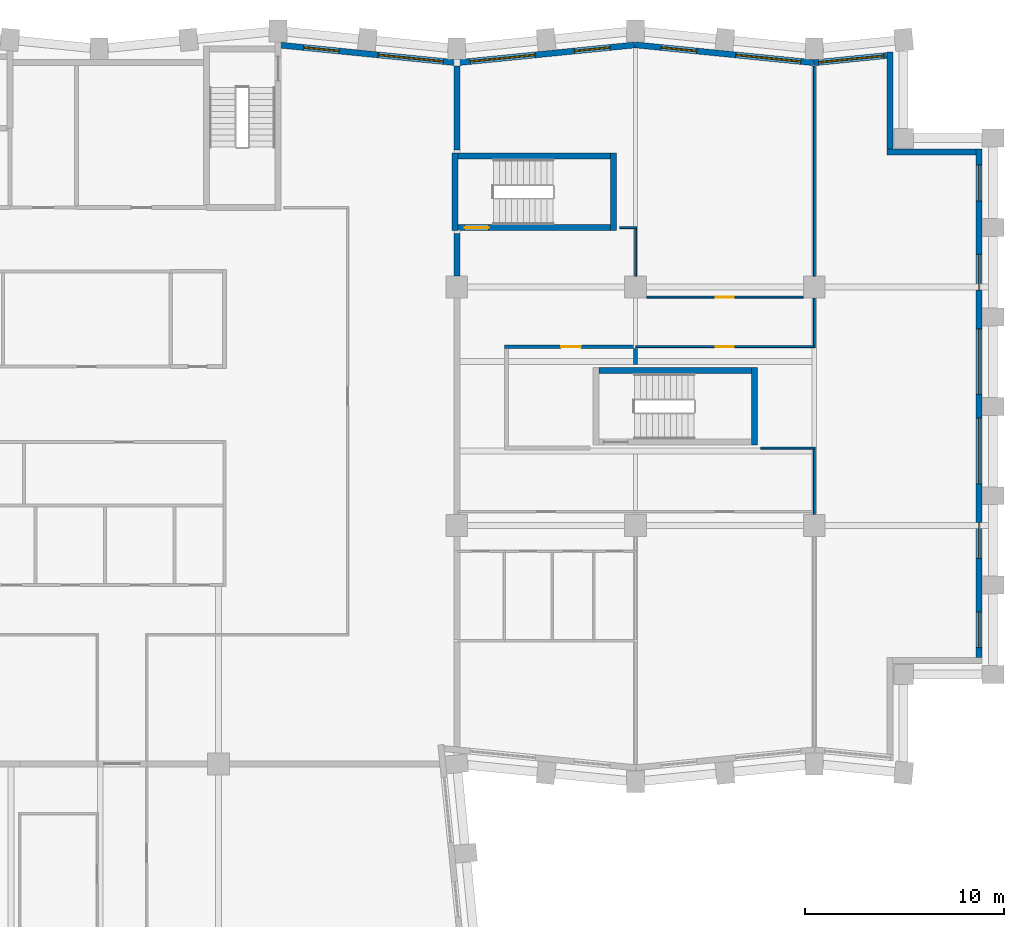
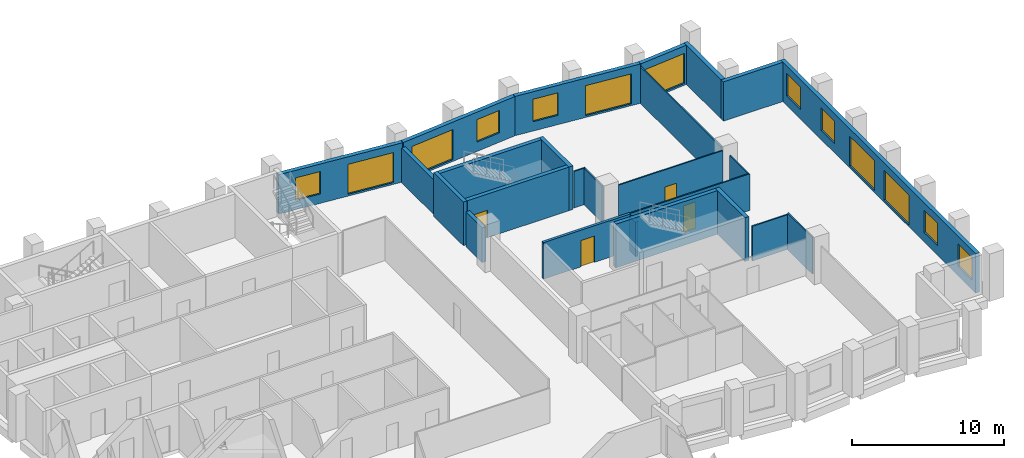
# One storey, part 7 of 10: 25 walls, 13 windows, 4 doors, 17 openings.
"""IFC4 building model written with IfcOpenShell, lengths in metres."""

import ifcopenshell
import ifcopenshell.guid

model = None  # the IFC model being written
_history = None  # IfcOwnerHistory: only IFC2X3 demands one
_inside = {}  # id of a spatial element -> (the spatial element, [elements in it])
_under = {}  # id of a project, library or spatial element -> (it, [spatial elements below it])
_declared = {}  # id of a project -> (the project, [libraries it declares])
_typed = {}  # id of a type object -> (the type object, [elements of that type])
_made_of = {}  # id of a material, layer set ... -> (it, [elements and type objects made of it])


def new_model(schema):
    """Start an empty IFC model of exactly this schema.

    Asked for "IFC4X3", IfcOpenShell would pick the latest addendum, in which some entities
    have other attributes; the version numbers below select the first issue.
    IFC2X3 requires an IfcOwnerHistory on every rooted entity: one is made here for all.
    """
    global model, _history
    if schema == "IFC4X3":
        model = ifcopenshell.file(schema_version=(4, 3, 0, 0))
    else:
        model = ifcopenshell.file(schema=schema)
    _inside.clear()
    _under.clear()
    _declared.clear()
    _typed.clear()
    _made_of.clear()
    _history = None
    if model.schema == "IFC2X3":
        org = make("IfcOrganization", Name="unknown")
        user = make(
            "IfcPersonAndOrganization",
            ThePerson=make("IfcPerson", FamilyName="unknown"),
            TheOrganization=org,
        )
        app = make(
            "IfcApplication",
            ApplicationDeveloper=org,
            Version="unknown",
            ApplicationFullName="unknown",
            ApplicationIdentifier="unknown",
        )
        _history = make(
            "IfcOwnerHistory",
            OwningUser=user,
            OwningApplication=app,
            ChangeAction="ADDED",
            CreationDate=0,
        )
    return model


def make(cls, **values):
    """One entity of the class cls with the attributes given. An attribute that is None is left unset."""
    return model.create_entity(
        cls, **{name: value for name, value in values.items() if value is not None}
    )


def rooted(cls, **values):
    """An entity with a GlobalId (a new one), such as an element, a storey or a relation."""
    return make(cls, GlobalId=ifcopenshell.guid.new(), OwnerHistory=_history, **values)


def si_unit(unit_type, name, prefix=None):
    """IfcSIUnit, for example si_unit("LENGTHUNIT", "METRE", prefix="MILLI")."""
    return make("IfcSIUnit", UnitType=unit_type, Prefix=prefix, Name=name)


def assignment(units):
    """IfcUnitAssignment: the units of a project."""
    return None if units is None else make("IfcUnitAssignment", Units=units)


def point(xyz):
    """IfcCartesianPoint."""
    return None if xyz is None else make("IfcCartesianPoint", Coordinates=xyz)


def direction(xyz):
    """IfcDirection."""
    return None if xyz is None else make("IfcDirection", DirectionRatios=xyz)


def frame(location, z_axis=None, x_axis=None):
    """IfcAxis2Placement3D, a coordinate frame: its origin and axes. An axis left out is left unset."""
    return make(
        "IfcAxis2Placement3D",
        Location=point(location),
        Axis=direction(z_axis),
        RefDirection=direction(x_axis),
    )


def frame_2d(location, x_axis=None):
    """IfcAxis2Placement2D, a coordinate frame in the plane: its origin and x axis."""
    return make(
        "IfcAxis2Placement2D", Location=point(location), RefDirection=direction(x_axis)
    )


def origin():
    """The frame at (0, 0, 0) with its axes left unset."""
    return frame((0.0, 0.0, 0.0))


def place(relative_to, where):
    """IfcLocalPlacement: puts the frame where relative to a parent placement (None: the world)."""
    return make(
        "IfcLocalPlacement", PlacementRelTo=relative_to, RelativePlacement=where
    )


def context(
    kind, dimensions, precision=None, world=None, true_north=None, identifier=None
):
    """IfcGeometricRepresentationContext, for example the 3D "Model" context."""
    return make(
        "IfcGeometricRepresentationContext",
        ContextIdentifier=identifier,
        ContextType=kind,
        CoordinateSpaceDimension=dimensions,
        Precision=precision,
        WorldCoordinateSystem=world,
        TrueNorth=true_north,
    )


def subcontext(parent, identifier, kind, view, scale=None):
    """IfcGeometricRepresentationSubContext, for example "Body" below "Model"."""
    return make(
        "IfcGeometricRepresentationSubContext",
        ContextIdentifier=identifier,
        ContextType=kind,
        ParentContext=parent,
        TargetScale=scale,
        TargetView=view,
    )


def project(units=None, contexts=None):
    """IfcProject with its units and contexts."""
    return rooted(
        "IfcProject",
        Name="project",
        RepresentationContexts=contexts,
        UnitsInContext=assignment(units),
    )


def spatial(cls, under=None, at=None, **own):
    """A site, building, storey or space (cls), placed at a placement, below another one or the project."""
    s = rooted(cls, ObjectPlacement=at, **own)
    if under is not None:
        _under.setdefault(under.id(), (under, []))[1].append(s)
    return s


def profile(cls, at=None, kind="AREA", **sizes):
    """A parametric profile (cls). Its sizes go by their IFC names, for example OverallWidth=200.0."""
    return make(cls, ProfileType=kind, Position=at, **sizes)


def rectangle(**sizes):
    """IfcRectangleProfileDef."""
    return profile("IfcRectangleProfileDef", **sizes)


def extrude(swept, where, along, depth):
    """IfcExtrudedAreaSolid: the profile swept, set in the frame where, extruded along a direction by depth."""
    return make(
        "IfcExtrudedAreaSolid",
        SweptArea=swept,
        Position=where,
        ExtrudedDirection=direction(along),
        Depth=depth,
    )


def shape(context_of_items, identifier, shape_type, items):
    """IfcShapeRepresentation: the items that make up one representation, for example the "Body"."""
    return make(
        "IfcShapeRepresentation",
        ContextOfItems=context_of_items,
        RepresentationIdentifier=identifier,
        RepresentationType=shape_type,
        Items=items,
    )


def material(Name=None, Category=None):
    """IfcMaterial."""
    return make("IfcMaterial", Name=Name, Category=Category)


def layer(
    of_material, thickness, ventilated=None, Name=None, Category=None, Priority=None
):
    """IfcMaterialLayer: one layer of a wall or slab, of a material (None: an air gap)."""
    return make(
        "IfcMaterialLayer",
        Material=of_material,
        LayerThickness=thickness,
        IsVentilated=ventilated,
        Name=Name,
        Category=Category,
        Priority=Priority,
    )


def layer_set(layers, Name=None):
    """IfcMaterialLayerSet."""
    return make("IfcMaterialLayerSet", MaterialLayers=layers, LayerSetName=Name)


def made_of(thing, what):
    """Note that an element or type object is made of a material, layer set ...; save() writes the relation."""
    if what is not None:
        _made_of.setdefault(what.id(), (what, []))[1].append(thing)
    return thing


def type_object(cls, material=None, **own):
    """A type object (cls), such as IfcWallType, which elements share."""
    return made_of(rooted(cls, **own), material)


def element(
    cls,
    number,
    at=None,
    inside=None,
    cuts=None,
    type_object=None,
    material=None,
    context=None,
    identifier="Body",
    shape_type=None,
    held_by="IfcProductDefinitionShape",
    body=None,
    shapes=None,
    **own,
):
    """One element of the class cls, such as IfcWall. Its Tag is "e" and its number.

    at: its placement. inside: the storey or other place that contains it. cuts: it is an
    opening in that element (IfcRelVoidsElement). A single representation is given by context,
    identifier, shape_type and body (its items); several are given by shapes. held_by: the class
    of the entity that holds the representations. save() writes the other relations.
    """
    e = rooted(cls, Tag="e%d" % number, ObjectPlacement=at, **own)
    if body is not None:
        shapes = [shape(context, identifier, shape_type, body)]
    if shapes is not None:
        e.Representation = make(held_by, Representations=shapes)
    if inside is not None:
        _inside.setdefault(inside.id(), (inside, []))[1].append(e)
    if cuts is not None:
        rooted(
            "IfcRelVoidsElement", RelatingBuildingElement=cuts, RelatedOpeningElement=e
        )
    if type_object is not None:
        _typed.setdefault(type_object.id(), (type_object, []))[1].append(e)
    return made_of(e, material)


def fill(opening, filler):
    """IfcRelFillsElement: the door or window that sits in an opening."""
    return rooted(
        "IfcRelFillsElement",
        RelatingOpeningElement=opening,
        RelatedBuildingElement=filler,
    )


def aggregate(whole, parts):
    """IfcRelAggregates: a whole, such as a stair, and the parts it consists of."""
    return rooted("IfcRelAggregates", RelatingObject=whole, RelatedObjects=parts)


def save(model, path):
    """Write the relations noted so far, then the file.

    IfcRelAggregates (storeys below a building ...), IfcRelContainedInSpatialStructure (elements
    in a storey), IfcRelDefinesByType, IfcRelAssociatesMaterial and IfcRelDeclares: one each for
    every whole, place, type object, material and project.
    """
    for whole, parts in _under.values():
        aggregate(whole, parts)
    for where, things in _inside.values():
        rooted(
            "IfcRelContainedInSpatialStructure",
            RelatedElements=things,
            RelatingStructure=where,
        )
    for kind, things in _typed.values():
        rooted("IfcRelDefinesByType", RelatedObjects=things, RelatingType=kind)
    for what, things in _made_of.values():
        rooted("IfcRelAssociatesMaterial", RelatedObjects=things, RelatingMaterial=what)
    for by, libraries in _declared.values():
        rooted("IfcRelDeclares", RelatingContext=by, RelatedDefinitions=libraries)
    model.write(path)


model = new_model("IFC4")

# Units and contexts
model_context = context("Model", 3, precision=1e-05, world=origin(), true_north=direction((0.0, 1.0)))
body_context = subcontext(model_context, "Body", "Model", "MODEL_VIEW")
ifc_project = project(units=[si_unit("LENGTHUNIT", "METRE"), si_unit("AREAUNIT", "SQUARE_METRE"), si_unit("VOLUMEUNIT", "CUBIC_METRE"), si_unit("PLANEANGLEUNIT", "RADIAN"), si_unit("MASSUNIT", "GRAM", prefix="KILO")], contexts=[model_context])

# Site, building, storey
site_placement = place(None, origin())
site = spatial("IfcSite", under=ifc_project, at=site_placement, CompositionType="ELEMENT")
building_placement = place(site_placement, origin())
building = spatial("IfcBuilding", under=site, at=building_placement, Name="Brondeck Convention Tower", CompositionType="ELEMENT")
storey_placement = place(building_placement, frame((0.0, 0.0, 151.0)))
storey = spatial("IfcBuildingStorey", under=building, at=storey_placement, Name="L36", CompositionType="ELEMENT", Elevation=151.0)

# Walls
ifc_material_1 = material(Name="Concrete compartment wall C30/37", Category="concrete")
ifc_layer_1 = layer(ifc_material_1, 0.300048828125)
ifc_layer_set_1 = layer_set([ifc_layer_1], Name="Compartment wall 300")
wall_type_1 = type_object("IfcWallType", Name="Compartment wall 300", PredefinedType="PARTITIONING", material=ifc_layer_set_1)
wall_1_placement = place(storey_placement, frame((36.0, 51.554931640625, 0.0), z_axis=(0.0, 0.0, 1.0), x_axis=(0.0, 1.0, 0.0)))
element("IfcWall", 1, at=wall_1_placement, inside=storey, type_object=wall_type_1, Name="FLR-L36-W062", PredefinedType="PARTITIONING", context=body_context, shape_type="SweptSolid", body=[
    extrude(rectangle(XDim=2.14501953125, YDim=0.300048828125, at=frame_2d((1.072509765625, 0.0))), origin(), (0.0, 0.0, 1.0), 2.780029296875),
])
wall_2_placement = place(storey_placement, frame((36.0, 57.89990234375, 0.0), z_axis=(0.0, 0.0, 1.0), x_axis=(0.0, 1.0, 0.0)))
element("IfcWall", 2, at=wall_2_placement, inside=storey, type_object=wall_type_1, Name="FLR-L36-W068", PredefinedType="PARTITIONING", context=body_context, shape_type="SweptSolid", body=[
    extrude(rectangle(XDim=4.22607421875, YDim=0.300048828125, at=frame_2d((2.113037109375, 0.0))), origin(), (0.0, 0.0, 1.0), 2.780029296875),
])

# Wall, openings, windows
ifc_material_2 = material(Name="Precast concrete C50/60 bronze finish", Category="concrete")
ifc_layer_2 = layer(ifc_material_2, 0.070068359375, Name="Bronze precast facing")
ifc_material_3 = material(Name="Mineral wool")
ifc_layer_3 = layer(ifc_material_3, 0.159912109375, Name="Insulation")
ifc_material_4 = material(Name="Concrete C35/45", Category="concrete")
ifc_layer_4 = layer(ifc_material_4, 0.070068359375, Name="Backing")
ifc_layer_set_2 = layer_set([ifc_layer_2, ifc_layer_3, ifc_layer_4], Name="External infill wall, precast concrete C50/60 bronze facing")
wall_type_2 = type_object("IfcWallType", Name="External infill wall, precast concrete C50/60 bronze facing", PredefinedType="SOLIDWALL", material=ifc_layer_set_2)
wall_3_placement = place(storey_placement, frame((62.300048828125, 57.949951171875, 0.0), z_axis=(0.0, 0.0, 1.0), x_axis=(0.0, -1.0, 0.0)))
wall_3 = element("IfcWall", 3, at=wall_3_placement, inside=storey, type_object=wall_type_2, Name="ENV-EW-L36-P1-A-E63-01", PredefinedType="SOLIDWALL", context=body_context, shape_type="SweptSolid", body=[
    extrude(rectangle(XDim=25.60205078125, YDim=0.300048828125, at=frame_2d((12.801025390625, 0.0))), origin(), (0.0, 0.0, 1.0), 3.14990234375),
])
opening_1_placement = place(wall_3_placement, frame((0.800048828125, 0.0, 0.75)))
opening_1 = element("IfcOpeningElement", 4, at=opening_1_placement, cuts=wall_3, Name="Opening W10", PredefinedType="OPENING", context=body_context, shape_type="SweptSolid", body=[
    extrude(rectangle(XDim=1.800048828125, YDim=1.800048828125, at=frame_2d((0.89990234375, 0.89990234375))), frame((0.0, 0.159912109375, 0.0), z_axis=(0.0, -1.0, 0.0), x_axis=(1.0, 0.0, 0.0)), (0.0, 0.0, 1.0), 0.320068359375),
])
opening_2_placement = place(wall_3_placement, frame((5.300048828125, 0.0, 0.75)))
opening_2 = element("IfcOpeningElement", 5, at=opening_2_placement, cuts=wall_3, Name="Opening W10", PredefinedType="OPENING", context=body_context, shape_type="SweptSolid", body=[
    extrude(rectangle(XDim=1.800048828125, YDim=1.800048828125, at=frame_2d((0.89990234375, 0.89990234375))), frame((0.0, 0.159912109375, 0.0), z_axis=(0.0, -1.0, 0.0), x_axis=(1.0, 0.0, 0.0)), (0.0, 0.0, 1.0), 0.320068359375),
])
opening_3_placement = place(wall_3_placement, frame((9.050048828125, 0.0, 0.14990234375)))
opening_3 = element("IfcOpeningElement", 6, at=opening_3_placement, cuts=wall_3, Name="Opening W9", PredefinedType="OPENING", context=body_context, shape_type="SweptSolid", body=[
    extrude(rectangle(XDim=3.300048828125, YDim=2.39990234375, at=frame_2d((1.64990234375, 1.199951171875))), frame((0.0, 0.159912109375, 0.0), z_axis=(0.0, -1.0, 0.0), x_axis=(1.0, 0.0, 0.0)), (0.0, 0.0, 1.0), 0.320068359375),
])
opening_4_placement = place(wall_3_placement, frame((13.550048828125, 0.0, 0.14990234375)))
opening_4 = element("IfcOpeningElement", 7, at=opening_4_placement, cuts=wall_3, Name="Opening W9", PredefinedType="OPENING", context=body_context, shape_type="SweptSolid", body=[
    extrude(rectangle(XDim=3.300048828125, YDim=2.39990234375, at=frame_2d((1.64990234375, 1.199951171875))), frame((0.0, 0.159912109375, 0.0), z_axis=(0.0, -1.0, 0.0), x_axis=(1.0, 0.0, 0.0)), (0.0, 0.0, 1.0), 0.320068359375),
])
opening_5_placement = place(wall_3_placement, frame((18.800048828125, 0.0, 0.75)))
opening_5 = element("IfcOpeningElement", 8, at=opening_5_placement, cuts=wall_3, Name="Opening W10", PredefinedType="OPENING", context=body_context, shape_type="SweptSolid", body=[
    extrude(rectangle(XDim=1.800048828125, YDim=1.800048828125, at=frame_2d((0.89990234375, 0.89990234375))), frame((0.0, 0.159912109375, 0.0), z_axis=(0.0, -1.0, 0.0), x_axis=(1.0, 0.0, 0.0)), (0.0, 0.0, 1.0), 0.320068359375),
])
opening_6_placement = place(wall_3_placement, frame((23.300048828125, 0.0, 0.75)))
opening_6 = element("IfcOpeningElement", 9, at=opening_6_placement, cuts=wall_3, Name="Opening W10", PredefinedType="OPENING", context=body_context, shape_type="SweptSolid", body=[
    extrude(rectangle(XDim=1.800048828125, YDim=1.800048828125, at=frame_2d((0.89990234375, 0.89990234375))), frame((0.0, 0.159912109375, 0.0), z_axis=(0.0, -1.0, 0.0), x_axis=(1.0, 0.0, 0.0)), (0.0, 0.0, 1.0), 0.320068359375),
])
ifc_material_5 = material(Name="Bronze tinted double glazing", Category="glass")
window_type_1 = type_object("IfcWindowType", Name="Glazed flute window, bronze tinted", PartitioningType="SINGLE_PANEL", PredefinedType="WINDOW", material=ifc_material_5)
window_1_placement = place(opening_3_placement, origin())
window_1 = element("IfcWindow", 10, at=window_1_placement, inside=storey, type_object=window_type_1, Name="ENV-WN-L36-P1-A-E63-04", OverallHeight=2.39990234375, OverallWidth=3.300048828125, PartitioningType="SINGLE_PANEL", PredefinedType="WINDOW", context=body_context, shape_type="SweptSolid", body=[
    extrude(rectangle(XDim=3.300048828125, YDim=2.39990234375, at=frame_2d((1.64990234375, 1.199951171875))), frame((0.0, 0.030029296875, 0.0), z_axis=(0.0, -1.0, 0.0), x_axis=(1.0, 0.0, 0.0)), (0.0, 0.0, 1.0), 0.06005859375),
])
fill(opening_3, window_1)
window_2_placement = place(opening_4_placement, origin())
window_2 = element("IfcWindow", 11, at=window_2_placement, inside=storey, type_object=window_type_1, Name="ENV-WN-L36-P1-A-E63-03", OverallHeight=2.39990234375, OverallWidth=3.300048828125, PartitioningType="SINGLE_PANEL", PredefinedType="WINDOW", context=body_context, shape_type="SweptSolid", body=[
    extrude(rectangle(XDim=3.300048828125, YDim=2.39990234375, at=frame_2d((1.64990234375, 1.199951171875))), frame((0.0, 0.030029296875, 0.0), z_axis=(0.0, -1.0, 0.0), x_axis=(1.0, 0.0, 0.0)), (0.0, 0.0, 1.0), 0.06005859375),
])
fill(opening_4, window_2)
window_type_2 = type_object("IfcWindowType", Name="Punched window, bronze tinted", PartitioningType="SINGLE_PANEL", PredefinedType="WINDOW", material=ifc_material_5)
window_3_placement = place(opening_1_placement, origin())
window_3 = element("IfcWindow", 12, at=window_3_placement, inside=storey, type_object=window_type_2, Name="ENV-WN-L36-P1-A-E63-06", OverallHeight=1.800048828125, OverallWidth=1.800048828125, PartitioningType="SINGLE_PANEL", PredefinedType="WINDOW", context=body_context, shape_type="SweptSolid", body=[
    extrude(rectangle(XDim=1.800048828125, YDim=1.800048828125, at=frame_2d((0.89990234375, 0.89990234375))), frame((0.0, 0.030029296875, 0.0), z_axis=(0.0, -1.0, 0.0), x_axis=(1.0, 0.0, 0.0)), (0.0, 0.0, 1.0), 0.06005859375),
])
fill(opening_1, window_3)
window_4_placement = place(opening_2_placement, origin())
window_4 = element("IfcWindow", 13, at=window_4_placement, inside=storey, type_object=window_type_2, Name="ENV-WN-L36-P1-A-E63-05", OverallHeight=1.800048828125, OverallWidth=1.800048828125, PartitioningType="SINGLE_PANEL", PredefinedType="WINDOW", context=body_context, shape_type="SweptSolid", body=[
    extrude(rectangle(XDim=1.800048828125, YDim=1.800048828125, at=frame_2d((0.89990234375, 0.89990234375))), frame((0.0, 0.030029296875, 0.0), z_axis=(0.0, -1.0, 0.0), x_axis=(1.0, 0.0, 0.0)), (0.0, 0.0, 1.0), 0.06005859375),
])
fill(opening_2, window_4)
window_5_placement = place(opening_5_placement, origin())
window_5 = element("IfcWindow", 14, at=window_5_placement, inside=storey, type_object=window_type_2, Name="ENV-WN-L36-P1-A-E63-02", OverallHeight=1.800048828125, OverallWidth=1.800048828125, PartitioningType="SINGLE_PANEL", PredefinedType="WINDOW", context=body_context, shape_type="SweptSolid", body=[
    extrude(rectangle(XDim=1.800048828125, YDim=1.800048828125, at=frame_2d((0.89990234375, 0.89990234375))), frame((0.0, 0.030029296875, 0.0), z_axis=(0.0, -1.0, 0.0), x_axis=(1.0, 0.0, 0.0)), (0.0, 0.0, 1.0), 0.06005859375),
])
fill(opening_5, window_5)
window_6_placement = place(opening_6_placement, origin())
window_6 = element("IfcWindow", 15, at=window_6_placement, inside=storey, type_object=window_type_2, Name="ENV-WN-L36-P1-A-E63-01", OverallHeight=1.800048828125, OverallWidth=1.800048828125, PartitioningType="SINGLE_PANEL", PredefinedType="WINDOW", context=body_context, shape_type="SweptSolid", body=[
    extrude(rectangle(XDim=1.800048828125, YDim=1.800048828125, at=frame_2d((0.89990234375, 0.89990234375))), frame((0.0, 0.030029296875, 0.0), z_axis=(0.0, -1.0, 0.0), x_axis=(1.0, 0.0, 0.0)), (0.0, 0.0, 1.0), 0.06005859375),
])
fill(opening_6, window_6)

# Walls
wall_4_placement = place(storey_placement, frame((57.64990234375, 57.800048828125, 0.0), z_axis=(0.0, 0.0, 1.0), x_axis=(1.0, 0.0, 0.0)))
element("IfcWall", 16, at=wall_4_placement, inside=storey, type_object=wall_type_2, Name="ENV-EW-L36-P1-NC-NEA63-01", PredefinedType="SOLIDWALL", context=body_context, shape_type="SweptSolid", body=[
    extrude(rectangle(XDim=4.502197265625, YDim=0.300048828125, at=frame_2d((2.2509765625, 0.0))), origin(), (0.0, 0.0, 1.0), 3.14990234375),
])
wall_5_placement = place(storey_placement, frame((57.800048828125, 62.84228515625, 0.0), z_axis=(0.0, 0.0, 1.0), x_axis=(0.0, -1.0, 0.0)))
element("IfcWall", 17, at=wall_5_placement, inside=storey, type_object=wall_type_2, Name="ENV-EW-L36-P1-NC-NEA63-02", PredefinedType="SOLIDWALL", context=body_context, shape_type="SweptSolid", body=[
    extrude(rectangle(XDim=4.894287109375, YDim=0.300048828125, at=frame_2d((2.447265625, 0.0))), origin(), (0.0, 0.0, 1.0), 3.14990234375),
])

# Wall, opening, window
wall_6_placement = place(storey_placement, frame((53.985107421875, 62.294921875, 0.0), z_axis=(0.0, 0.0, 1.0), x_axis=(0.99503719021, 0.099503719021, 0.0)))
wall_6 = element("IfcWall", 18, at=wall_6_placement, inside=storey, type_object=wall_type_2, Name="ENV-EW-L36-P1-A-N-12", PredefinedType="SOLIDWALL", context=body_context, shape_type="SweptSolid", body=[
    extrude(rectangle(XDim=3.677978515625, YDim=0.300048828125, at=frame_2d((1.8388671875, 0.0))), origin(), (0.0, 0.0, 1.0), 3.14990234375),
])
opening_7_placement = place(wall_6_placement, frame((0.22802734375, 0.0, 0.14990234375)))
opening_7 = element("IfcOpeningElement", 19, at=opening_7_placement, cuts=wall_6, Name="Opening W9", PredefinedType="OPENING", context=body_context, shape_type="SweptSolid", body=[
    extrude(rectangle(XDim=3.300048828125, YDim=2.39990234375, at=frame_2d((1.64990234375, 1.199951171875))), frame((0.0, 0.159912109375, 0.0), z_axis=(0.0, -1.0, 0.0), x_axis=(1.0, 0.0, 0.0)), (0.0, 0.0, 1.0), 0.320068359375),
])
window_7_placement = place(opening_7_placement, origin())
window_7 = element("IfcWindow", 20, at=window_7_placement, inside=storey, type_object=window_type_1, Name="ENV-WN-L36-P1-A-N-12", OverallHeight=2.39990234375, OverallWidth=3.300048828125, PartitioningType="SINGLE_PANEL", PredefinedType="WINDOW", context=body_context, shape_type="SweptSolid", body=[
    extrude(rectangle(XDim=3.300048828125, YDim=2.39990234375, at=frame_2d((1.64990234375, 1.199951171875))), frame((0.0, 0.030029296875, 0.0), z_axis=(0.0, -1.0, 0.0), x_axis=(1.0, 0.0, 0.0)), (0.0, 0.0, 1.0), 0.06005859375),
])
fill(opening_7, window_7)

# Wall, openings, windows
wall_7_placement = place(storey_placement, frame((44.985107421875, 63.197998046875, 0.0), z_axis=(0.0, 0.0, 1.0), x_axis=(0.995037993253, -0.099495688264, 0.0)))
wall_7 = element("IfcWall", 21, at=wall_7_placement, inside=storey, type_object=wall_type_2, Name="ENV-EW-L36-P1-A-N-11", PredefinedType="SOLIDWALL", context=body_context, shape_type="SweptSolid", body=[
    extrude(rectangle(XDim=9.030029296875, YDim=0.300048828125, at=frame_2d((4.51513671875, 0.0))), origin(), (0.0, 0.0, 1.0), 3.14990234375),
])
opening_8_placement = place(wall_7_placement, frame((1.30615234375, 0.0, 0.75)))
opening_8 = element("IfcOpeningElement", 22, at=opening_8_placement, cuts=wall_7, Name="Opening W10", PredefinedType="OPENING", context=body_context, shape_type="SweptSolid", body=[
    extrude(rectangle(XDim=1.800048828125, YDim=1.800048828125, at=frame_2d((0.89990234375, 0.89990234375))), frame((0.0, 0.159912109375, 0.0), z_axis=(0.0, -1.0, 0.0), x_axis=(1.0, 0.0, 0.0)), (0.0, 0.0, 1.0), 0.320068359375),
])
opening_9_placement = place(wall_7_placement, frame((5.07861328125, 0.0, 0.14990234375)))
opening_9 = element("IfcOpeningElement", 23, at=opening_9_placement, cuts=wall_7, Name="Opening W9", PredefinedType="OPENING", context=body_context, shape_type="SweptSolid", body=[
    extrude(rectangle(XDim=3.300048828125, YDim=2.39990234375, at=frame_2d((1.64990234375, 1.199951171875))), frame((0.0, 0.159912109375, 0.0), z_axis=(0.0, -1.0, 0.0), x_axis=(1.0, 0.0, 0.0)), (0.0, 0.0, 1.0), 0.320068359375),
])
window_8_placement = place(opening_9_placement, origin())
window_8 = element("IfcWindow", 24, at=window_8_placement, inside=storey, type_object=window_type_1, Name="ENV-WN-L36-P1-A-N-11", OverallHeight=2.39990234375, OverallWidth=3.300048828125, PartitioningType="SINGLE_PANEL", PredefinedType="WINDOW", context=body_context, shape_type="SweptSolid", body=[
    extrude(rectangle(XDim=3.300048828125, YDim=2.39990234375, at=frame_2d((1.64990234375, 1.199951171875))), frame((0.0, 0.030029296875, 0.0), z_axis=(0.0, -1.0, 0.0), x_axis=(1.0, 0.0, 0.0)), (0.0, 0.0, 1.0), 0.06005859375),
])
fill(opening_9, window_8)
window_9_placement = place(opening_8_placement, origin())
window_9 = element("IfcWindow", 25, at=window_9_placement, inside=storey, type_object=window_type_2, Name="ENV-WN-L36-P1-A-N-10", OverallHeight=1.800048828125, OverallWidth=1.800048828125, PartitioningType="SINGLE_PANEL", PredefinedType="WINDOW", context=body_context, shape_type="SweptSolid", body=[
    extrude(rectangle(XDim=1.800048828125, YDim=1.800048828125, at=frame_2d((0.89990234375, 0.89990234375))), frame((0.0, 0.030029296875, 0.0), z_axis=(0.0, -1.0, 0.0), x_axis=(1.0, 0.0, 0.0)), (0.0, 0.0, 1.0), 0.06005859375),
])
fill(opening_8, window_9)

wall_8_placement = place(storey_placement, frame((35.985107421875, 62.294921875, 0.0), z_axis=(0.0, 0.0, 1.0), x_axis=(0.995035316196, 0.099522457379, 0.0)))
wall_8 = element("IfcWall", 26, at=wall_8_placement, inside=storey, type_object=wall_type_2, Name="ENV-EW-L36-P1-A-N-09", PredefinedType="SOLIDWALL", context=body_context, shape_type="SweptSolid", body=[
    extrude(rectangle(XDim=9.030029296875, YDim=0.300048828125, at=frame_2d((4.51513671875, 0.0))), origin(), (0.0, 0.0, 1.0), 3.14990234375),
])
opening_10_placement = place(wall_8_placement, frame((0.6962890625, 0.0, 0.14990234375)))
opening_10 = element("IfcOpeningElement", 27, at=opening_10_placement, cuts=wall_8, Name="Opening W9", PredefinedType="OPENING", context=body_context, shape_type="SweptSolid", body=[
    extrude(rectangle(XDim=3.300048828125, YDim=2.39990234375, at=frame_2d((1.64990234375, 1.199951171875))), frame((0.0, 0.159912109375, 0.0), z_axis=(0.0, -1.0, 0.0), x_axis=(1.0, 0.0, 0.0)), (0.0, 0.0, 1.0), 0.320068359375),
])
opening_11_placement = place(wall_8_placement, frame((5.968505859375, 0.0, 0.75)))
opening_11 = element("IfcOpeningElement", 28, at=opening_11_placement, cuts=wall_8, Name="Opening W10", PredefinedType="OPENING", context=body_context, shape_type="SweptSolid", body=[
    extrude(rectangle(XDim=1.800048828125, YDim=1.800048828125, at=frame_2d((0.89990234375, 0.89990234375))), frame((0.0, 0.159912109375, 0.0), z_axis=(0.0, -1.0, 0.0), x_axis=(1.0, 0.0, 0.0)), (0.0, 0.0, 1.0), 0.320068359375),
])
window_10_placement = place(opening_10_placement, origin())
window_10 = element("IfcWindow", 29, at=window_10_placement, inside=storey, type_object=window_type_1, Name="ENV-WN-L36-P1-A-N-08", OverallHeight=2.39990234375, OverallWidth=3.300048828125, PartitioningType="SINGLE_PANEL", PredefinedType="WINDOW", context=body_context, shape_type="SweptSolid", body=[
    extrude(rectangle(XDim=3.300048828125, YDim=2.39990234375, at=frame_2d((1.64990234375, 1.199951171875))), frame((0.0, 0.030029296875, 0.0), z_axis=(0.0, -1.0, 0.0), x_axis=(1.0, 0.0, 0.0)), (0.0, 0.0, 1.0), 0.06005859375),
])
fill(opening_10, window_10)
window_11_placement = place(opening_11_placement, origin())
window_11 = element("IfcWindow", 30, at=window_11_placement, inside=storey, type_object=window_type_2, Name="ENV-WN-L36-P1-A-N-09", OverallHeight=1.800048828125, OverallWidth=1.800048828125, PartitioningType="SINGLE_PANEL", PredefinedType="WINDOW", context=body_context, shape_type="SweptSolid", body=[
    extrude(rectangle(XDim=1.800048828125, YDim=1.800048828125, at=frame_2d((0.89990234375, 0.89990234375))), frame((0.0, 0.030029296875, 0.0), z_axis=(0.0, -1.0, 0.0), x_axis=(1.0, 0.0, 0.0)), (0.0, 0.0, 1.0), 0.06005859375),
])
fill(opening_11, window_11)

wall_9_placement = place(storey_placement, frame((27.07958984375, 63.188720703125, 0.0), z_axis=(0.0, 0.0, 1.0), x_axis=(0.995036108007, -0.099514540459, 0.0)))
wall_9 = element("IfcWall", 31, at=wall_9_placement, inside=storey, type_object=wall_type_2, Name="ENV-EW-L36-P1-A-N-07", PredefinedType="SOLIDWALL", context=body_context, shape_type="SweptSolid", body=[
    extrude(rectangle(XDim=8.93505859375, YDim=0.300048828125, at=frame_2d((4.467529296875, 0.0))), origin(), (0.0, 0.0, 1.0), 3.14990234375),
])
opening_12_placement = place(wall_9_placement, frame((1.211181640625, 0.0, 0.75)))
opening_12 = element("IfcOpeningElement", 32, at=opening_12_placement, cuts=wall_9, Name="Opening W10", PredefinedType="OPENING", context=body_context, shape_type="SweptSolid", body=[
    extrude(rectangle(XDim=1.800048828125, YDim=1.800048828125, at=frame_2d((0.89990234375, 0.89990234375))), frame((0.0, 0.159912109375, 0.0), z_axis=(0.0, -1.0, 0.0), x_axis=(1.0, 0.0, 0.0)), (0.0, 0.0, 1.0), 0.320068359375),
])
opening_13_placement = place(wall_9_placement, frame((4.983642578125, 0.0, 0.14990234375)))
opening_13 = element("IfcOpeningElement", 33, at=opening_13_placement, cuts=wall_9, Name="Opening W9", PredefinedType="OPENING", context=body_context, shape_type="SweptSolid", body=[
    extrude(rectangle(XDim=3.300048828125, YDim=2.39990234375, at=frame_2d((1.64990234375, 1.199951171875))), frame((0.0, 0.159912109375, 0.0), z_axis=(0.0, -1.0, 0.0), x_axis=(1.0, 0.0, 0.0)), (0.0, 0.0, 1.0), 0.320068359375),
])
window_12_placement = place(opening_13_placement, origin())
window_12 = element("IfcWindow", 34, at=window_12_placement, inside=storey, type_object=window_type_1, Name="ENV-WN-L36-P1-A-N-07", OverallHeight=2.39990234375, OverallWidth=3.300048828125, PartitioningType="SINGLE_PANEL", PredefinedType="WINDOW", context=body_context, shape_type="SweptSolid", body=[
    extrude(rectangle(XDim=3.300048828125, YDim=2.39990234375, at=frame_2d((1.64990234375, 1.199951171875))), frame((0.0, 0.030029296875, 0.0), z_axis=(0.0, -1.0, 0.0), x_axis=(1.0, 0.0, 0.0)), (0.0, 0.0, 1.0), 0.06005859375),
])
fill(opening_13, window_12)
window_13_placement = place(opening_12_placement, origin())
window_13 = element("IfcWindow", 35, at=window_13_placement, inside=storey, type_object=window_type_2, Name="ENV-WN-L36-P1-A-N-06", OverallHeight=1.800048828125, OverallWidth=1.800048828125, PartitioningType="SINGLE_PANEL", PredefinedType="WINDOW", context=body_context, shape_type="SweptSolid", body=[
    extrude(rectangle(XDim=1.800048828125, YDim=1.800048828125, at=frame_2d((0.89990234375, 0.89990234375))), frame((0.0, 0.030029296875, 0.0), z_axis=(0.0, -1.0, 0.0), x_axis=(1.0, 0.0, 0.0)), (0.0, 0.0, 1.0), 0.06005859375),
])
fill(opening_12, window_13)

# Wall
ifc_material_6 = material(Name="Concrete block wall C16/20", Category="concrete")
ifc_layer_5 = layer(ifc_material_6, 0.199951171875)
ifc_layer_set_3 = layer_set([ifc_layer_5], Name="Plant room wall 200")
wall_type_3 = type_object("IfcWallType", Name="Plant room wall 200", PredefinedType="PARTITIONING", material=ifc_layer_set_3)
wall_10_placement = place(storey_placement, frame((45.0, 47.89990234375, 0.0), z_axis=(0.0, 0.0, 1.0), x_axis=(0.0, -1.0, 0.0)))
element("IfcWall", 36, at=wall_10_placement, inside=storey, type_object=wall_type_3, Name="FLR-L36-W057", PredefinedType="PARTITIONING", context=body_context, shape_type="SweptSolid", body=[
    extrude(rectangle(XDim=0.7998046875, YDim=0.199951171875, at=frame_2d((0.39990234375, 0.0))), origin(), (0.0, 0.0, 1.0), 2.780029296875),
])

# Wall, opening, door
wall_11_placement = place(storey_placement, frame((45.0, 48.0, 0.0), z_axis=(0.0, 0.0, 1.0), x_axis=(-1.0, 0.0, 0.0)))
wall_11 = element("IfcWall", 37, at=wall_11_placement, inside=storey, type_object=wall_type_3, Name="FLR-L36-W058", PredefinedType="PARTITIONING", context=body_context, shape_type="SweptSolid", body=[
    extrude(rectangle(XDim=6.60009765625, YDim=0.199951171875, at=frame_2d((3.300048828125, 0.0))), origin(), (0.0, 0.0, 1.0), 2.929931640625),
])
opening_14_placement = place(wall_11_placement, frame((2.75, 0.0, 0.0)))
opening_14 = element("IfcOpeningElement", 38, at=opening_14_placement, cuts=wall_11, Name="Opening OF-F2-002", PredefinedType="OPENING", context=body_context, shape_type="SweptSolid", body=[
    extrude(rectangle(XDim=1.0, YDim=2.10009765625, at=frame_2d((0.5, 1.050048828125))), frame((0.0, 0.10986328125, 0.0), z_axis=(0.0, -1.0, 0.0), x_axis=(1.0, 0.0, 0.0)), (0.0, 0.0, 1.0), 0.219970703125),
])
ifc_material_7 = material(Name="Steel fire door leaf", Category="steel")
door_type_1 = type_object("IfcDoorType", Name="Plant room door 1000", OperationType="NOTDEFINED", PredefinedType="DOOR", material=ifc_material_7)
door_1_placement = place(opening_14_placement, origin())
door_1 = element("IfcDoor", 39, at=door_1_placement, inside=storey, type_object=door_type_1, Name="Door OF-F2-002", OperationType="SINGLE_SWING_RIGHT", OverallHeight=2.10009765625, OverallWidth=1.0, PredefinedType="DOOR", context=body_context, shape_type="SweptSolid", body=[
    extrude(rectangle(XDim=1.0, YDim=2.10009765625, at=frame_2d((0.5, 1.050048828125))), frame((0.0, 0.02490234375, 0.0), z_axis=(0.0, -1.0, 0.0), x_axis=(1.0, 0.0, 0.0)), (0.0, 0.0, 1.0), 0.050048828125),
])
fill(opening_14, door_1)

# Walls
ifc_material_8 = material(Name="Gypsum board partition on steel studs", Category="steel")
ifc_layer_6 = layer(ifc_material_8, 0.10009765625)
ifc_layer_set_4 = layer_set([ifc_layer_6], Name="Room partition 100")
wall_type_4 = type_object("IfcWallType", Name="Room partition 100", PredefinedType="PARTITIONING", material=ifc_layer_set_4)
wall_12_placement = place(storey_placement, frame((54.0, 42.85009765625, 0.0), z_axis=(0.0, 0.0, 1.0), x_axis=(0.0, -1.0, 0.0)))
element("IfcWall", 40, at=wall_12_placement, inside=storey, type_object=wall_type_4, Name="FLR-L36-W053", PredefinedType="PARTITIONING", context=body_context, shape_type="SweptSolid", body=[
    extrude(rectangle(XDim=3.280029296875, YDim=0.10009765625, at=frame_2d((1.64013671875, 0.0))), origin(), (0.0, 0.0, 1.0), 2.929931640625),
])
wall_13_placement = place(storey_placement, frame((51.300048828125, 42.89990234375, 0.0), z_axis=(0.0, 0.0, 1.0), x_axis=(1.0, 0.0, 0.0)))
element("IfcWall", 41, at=wall_13_placement, inside=storey, type_object=wall_type_4, Name="FLR-L36-W055", PredefinedType="PARTITIONING", context=body_context, shape_type="SweptSolid", body=[
    extrude(rectangle(XDim=2.75, YDim=0.10009765625, at=frame_2d((1.375, 0.0))), origin(), (0.0, 0.0, 1.0), 2.780029296875),
])

# Wall, opening, door
wall_14_placement = place(storey_placement, frame((54.050048828125, 48.0, 0.0), z_axis=(0.0, 0.0, 1.0), x_axis=(-1.0, 0.0, 0.0)))
wall_14 = element("IfcWall", 42, at=wall_14_placement, inside=storey, type_object=wall_type_4, Name="FLR-L36-W059", PredefinedType="PARTITIONING", context=body_context, shape_type="SweptSolid", body=[
    extrude(rectangle(XDim=9.050048828125, YDim=0.10009765625, at=frame_2d((4.52490234375, 0.0))), origin(), (0.0, 0.0, 1.0), 2.929931640625),
])
opening_15_placement = place(wall_14_placement, frame((4.10009765625, 0.0, 0.0)))
opening_15 = element("IfcOpeningElement", 43, at=opening_15_placement, cuts=wall_14, Name="Opening OF-F2-005", PredefinedType="OPENING", context=body_context, shape_type="SweptSolid", body=[
    extrude(rectangle(XDim=0.89990234375, YDim=2.10009765625, at=frame_2d((0.449951171875, 1.050048828125))), frame((0.0, 0.06005859375, 0.0), z_axis=(0.0, -1.0, 0.0), x_axis=(1.0, 0.0, 0.0)), (0.0, 0.0, 1.0), 0.1201171875),
])
ifc_material_9 = material(Name="Solid timber door leaf", Category="wood")
door_type_2 = type_object("IfcDoorType", Name="Single door 900", OperationType="NOTDEFINED", PredefinedType="DOOR", material=ifc_material_9)
door_2_placement = place(opening_15_placement, origin())
door_2 = element("IfcDoor", 44, at=door_2_placement, inside=storey, type_object=door_type_2, Name="Door OF-F2-005", OperationType="SINGLE_SWING_RIGHT", OverallHeight=2.10009765625, OverallWidth=0.89990234375, PredefinedType="DOOR", context=body_context, shape_type="SweptSolid", body=[
    extrude(rectangle(XDim=0.89990234375, YDim=2.10009765625, at=frame_2d((0.449951171875, 1.050048828125))), frame((0.0, 0.02490234375, 0.0), z_axis=(0.0, -1.0, 0.0), x_axis=(1.0, 0.0, 0.0)), (0.0, 0.0, 1.0), 0.050048828125),
])
fill(opening_15, door_2)

# Wall
wall_15_placement = place(storey_placement, frame((54.0, 50.445068359375, 0.0), z_axis=(0.0, 0.0, 1.0), x_axis=(0.0, -1.0, 0.0)))
element("IfcWall", 45, at=wall_15_placement, inside=storey, type_object=wall_type_4, Name="FLR-L36-W060", PredefinedType="PARTITIONING", context=body_context, shape_type="SweptSolid", body=[
    extrude(rectangle(XDim=2.39501953125, YDim=0.10009765625, at=frame_2d((1.197509765625, 0.0))), origin(), (0.0, 0.0, 1.0), 2.929931640625),
])

# Wall, opening, door
wall_16_placement = place(storey_placement, frame((45.554931640625, 50.5, 0.0), z_axis=(0.0, 0.0, 1.0), x_axis=(1.0, 0.0, 0.0)))
wall_16 = element("IfcWall", 46, at=wall_16_placement, inside=storey, type_object=wall_type_4, Name="FLR-L36-W061", PredefinedType="PARTITIONING", context=body_context, shape_type="SweptSolid", body=[
    extrude(rectangle(XDim=7.89013671875, YDim=0.10009765625, at=frame_2d((3.945068359375, 0.0))), origin(), (0.0, 0.0, 1.0), 3.47998046875),
])
opening_16_placement = place(wall_16_placement, frame((3.4951171875, 0.0, 0.0)))
opening_16 = element("IfcOpeningElement", 47, at=opening_16_placement, cuts=wall_16, Name="Opening OF-F2-012", PredefinedType="OPENING", context=body_context, shape_type="SweptSolid", body=[
    extrude(rectangle(XDim=0.89990234375, YDim=2.10009765625, at=frame_2d((0.449951171875, 1.050048828125))), frame((0.0, 0.06005859375, 0.0), z_axis=(0.0, -1.0, 0.0), x_axis=(1.0, 0.0, 0.0)), (0.0, 0.0, 1.0), 0.1201171875),
])
door_3_placement = place(opening_16_placement, origin())
door_3 = element("IfcDoor", 48, at=door_3_placement, inside=storey, type_object=door_type_2, Name="Door OF-F2-012", OperationType="SINGLE_SWING_LEFT", OverallHeight=2.10009765625, OverallWidth=0.89990234375, PredefinedType="DOOR", context=body_context, shape_type="SweptSolid", body=[
    extrude(rectangle(XDim=0.89990234375, YDim=2.10009765625, at=frame_2d((0.449951171875, 1.050048828125))), frame((0.0, 0.02490234375, 0.0), z_axis=(0.0, -1.0, 0.0), x_axis=(1.0, 0.0, 0.0)), (0.0, 0.0, 1.0), 0.050048828125),
])
fill(opening_16, door_3)

# Walls
wall_17_placement = place(storey_placement, frame((54.0, 51.554931640625, 0.0), z_axis=(0.0, 0.0, 1.0), x_axis=(0.0, 1.0, 0.0)))
element("IfcWall", 49, at=wall_17_placement, inside=storey, type_object=wall_type_4, Name="FLR-L36-W063", PredefinedType="PARTITIONING", context=body_context, shape_type="SweptSolid", body=[
    extrude(rectangle(XDim=10.57080078125, YDim=0.10009765625, at=frame_2d((5.285400390625, 0.0))), origin(), (0.0, 0.0, 1.0), 2.929931640625),
])
wall_18_placement = place(storey_placement, frame((45.0, 53.949951171875, 0.0), z_axis=(0.0, 0.0, 1.0), x_axis=(0.0, -1.0, 0.0)))
element("IfcWall", 50, at=wall_18_placement, inside=storey, type_object=wall_type_4, Name="FLR-L36-W064", PredefinedType="PARTITIONING", context=body_context, shape_type="SweptSolid", body=[
    extrude(rectangle(XDim=2.39501953125, YDim=0.10009765625, at=frame_2d((1.197509765625, 0.0))), origin(), (0.0, 0.0, 1.0), 2.929931640625),
])
wall_19_placement = place(storey_placement, frame((44.199951171875, 54.0, 0.0), z_axis=(0.0, 0.0, 1.0), x_axis=(1.0, 0.0, 0.0)))
element("IfcWall", 51, at=wall_19_placement, inside=storey, type_object=wall_type_4, Name="FLR-L36-W065", PredefinedType="PARTITIONING", context=body_context, shape_type="SweptSolid", body=[
    extrude(rectangle(XDim=0.85009765625, YDim=0.10009765625, at=frame_2d((0.425048828125, 0.0))), origin(), (0.0, 0.0, 1.0), 2.929931640625),
])
ifc_material_10 = material(Name="Concrete C70/85", Category="concrete")
ifc_layer_7 = layer(ifc_material_10, 0.300048828125)
ifc_layer_set_5 = layer_set([ifc_layer_7], Name="Stair enclosure wall 300 Concrete C70/85")
wall_type_5 = type_object("IfcWallType", Name="Stair enclosure wall 300 Concrete C70/85", PredefinedType="SHEAR", material=ifc_layer_set_5)
wall_20_placement = place(storey_placement, frame((43.14990234375, 46.800048828125, 0.0), z_axis=(0.0, 0.0, 1.0), x_axis=(1.0, 0.0, 0.0)))
element("IfcWall", 52, at=wall_20_placement, inside=storey, type_object=wall_type_5, Name="L36 core wall", PredefinedType="SHEAR", context=body_context, shape_type="SweptSolid", body=[
    extrude(rectangle(XDim=7.7001953125, YDim=0.300048828125, at=frame_2d((3.85009765625, 0.0))), origin(), (0.0, 0.0, 1.0), 3.5),
])

# Wall, opening, door
wall_21_placement = place(storey_placement, frame((36.050048828125, 54.0, 0.0), z_axis=(0.0, 0.0, 1.0), x_axis=(1.0, 0.0, 0.0)))
wall_21 = element("IfcWall", 53, at=wall_21_placement, inside=storey, type_object=wall_type_5, Name="L36 core wall", PredefinedType="SHEAR", context=body_context, shape_type="SweptSolid", body=[
    extrude(rectangle(XDim=7.699951171875, YDim=0.300048828125, at=frame_2d((3.85009765625, 0.0))), origin(), (0.0, 0.0, 1.0), 3.5),
])
opening_17_placement = place(wall_21_placement, frame((0.35009765625, 0.0, 0.0)))
opening_17 = element("IfcOpeningElement", 54, at=opening_17_placement, cuts=wall_21, Name="Opening C21-17", PredefinedType="OPENING", context=body_context, shape_type="SweptSolid", body=[
    extrude(rectangle(XDim=1.199951171875, YDim=2.199951171875, at=frame_2d((0.60009765625, 1.10009765625))), frame((0.0, 0.159912109375, 0.0), z_axis=(0.0, -1.0, 0.0), x_axis=(1.0, 0.0, 0.0)), (0.0, 0.0, 1.0), 0.320068359375),
])
ifc_material_11 = material(Name="Steel fire door", Category="steel")
door_type_3 = type_object("IfcDoorType", Name="Stair door 1200x2200 EI 90", OperationType="NOTDEFINED", PredefinedType="DOOR", material=ifc_material_11)
door_4_placement = place(opening_17_placement, origin())
door_4 = element("IfcDoor", 55, at=door_4_placement, inside=storey, type_object=door_type_3, Name="L36 Stair door ST-AE", OperationType="SINGLE_SWING_LEFT", OverallHeight=2.199951171875, OverallWidth=1.199951171875, PredefinedType="DOOR", context=body_context, shape_type="SweptSolid", body=[
    extrude(rectangle(XDim=1.199951171875, YDim=2.199951171875, at=frame_2d((0.60009765625, 1.10009765625))), frame((0.0, 0.02490234375, 0.0), z_axis=(0.0, -1.0, 0.0), x_axis=(1.0, 0.0, 0.0)), (0.0, 0.0, 1.0), 0.050048828125),
])
fill(opening_17, door_4)

# Walls
wall_22_placement = place(storey_placement, frame((36.050048828125, 57.60009765625, 0.0), z_axis=(0.0, 0.0, 1.0), x_axis=(1.0, 0.0, 0.0)))
element("IfcWall", 56, at=wall_22_placement, inside=storey, type_object=wall_type_5, Name="L36 core wall", PredefinedType="SHEAR", context=body_context, shape_type="SweptSolid", body=[
    extrude(rectangle(XDim=7.699951171875, YDim=0.300048828125, at=frame_2d((3.85009765625, 0.0))), origin(), (0.0, 0.0, 1.0), 3.5),
])
for number, where, z_axis, x_axis, name in (
    (57, (35.89990234375, 53.85009765625, 0.0), (0.0, 0.0, 1.0), (0.0, 1.0, 0.0), "L36 core wall"),
    (58, (43.89990234375, 53.85009765625, 0.0), (0.0, 0.0, 1.0), (0.0, 1.0, 0.0), "L36 core wall"),
    (59, (51.0, 43.050048828125, 0.0), (0.0, 0.0, 1.0), (0.0, 1.0, 0.0), "L36 core wall"),
):
    element("IfcWall", number, at=place(storey_placement, frame(where, z_axis=z_axis, x_axis=x_axis)), inside=storey, type_object=wall_type_5, Name=name, PredefinedType="SHEAR", context=body_context, shape_type="SweptSolid", body=[
        extrude(rectangle(XDim=3.89990234375, YDim=0.300048828125, at=frame_2d((1.949951171875, 0.0))), origin(), (0.0, 0.0, 1.0), 3.5),
    ])

save(model, "model.ifc")
